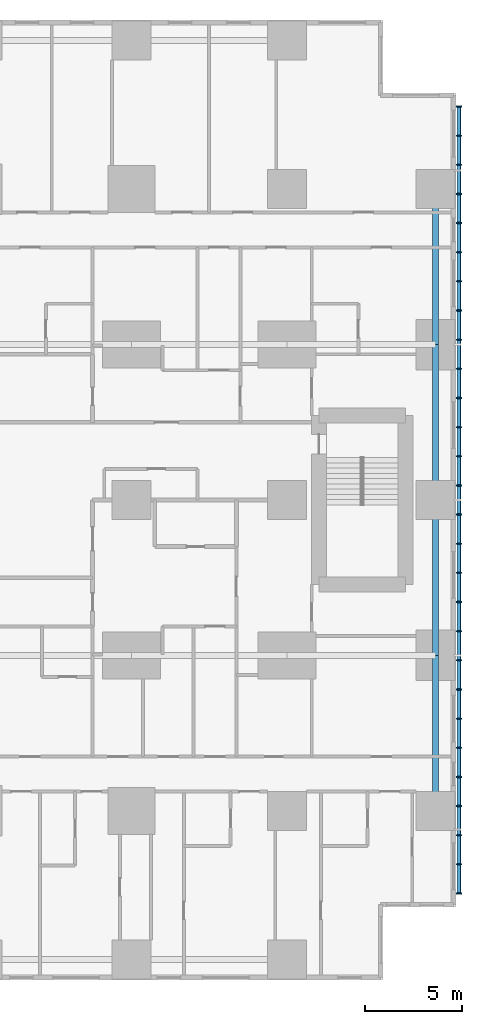
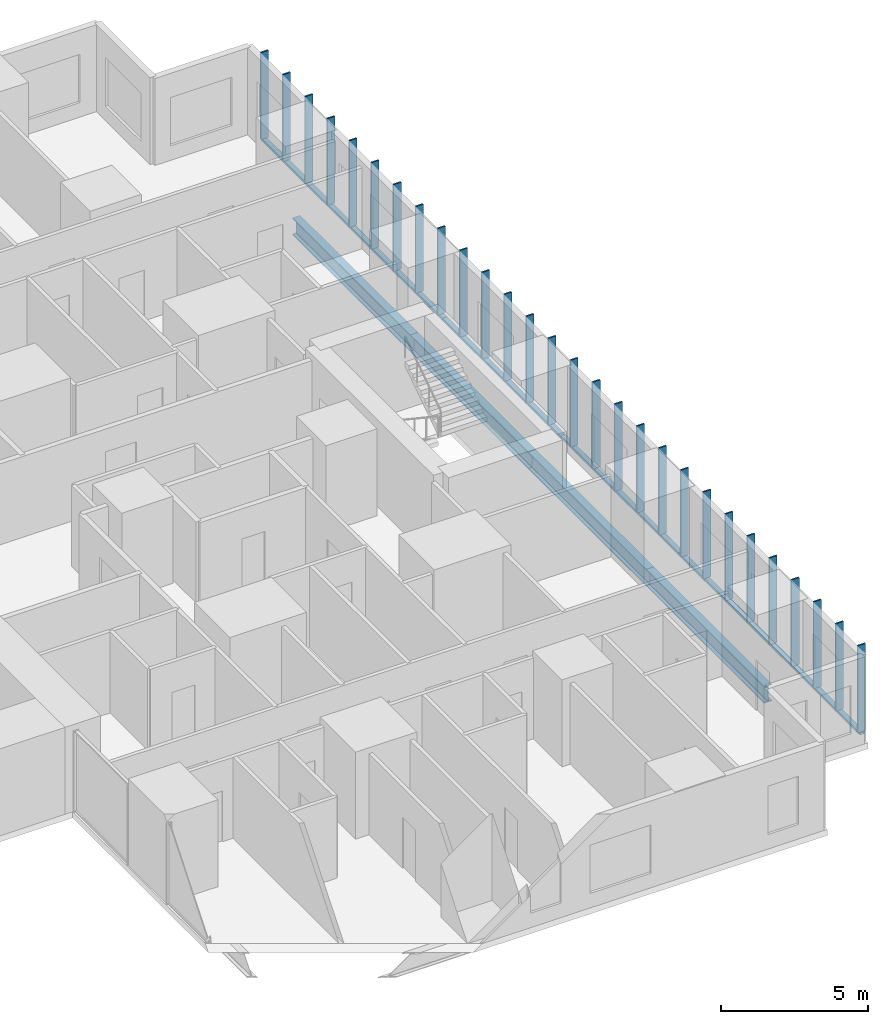
# One storey, part 6 of 20: 32 members, 4 beams.
"""IFC4 building model written with IfcOpenShell, lengths in metres."""

import ifcopenshell
import ifcopenshell.guid

model = None  # the IFC model being written
_history = None  # IfcOwnerHistory: only IFC2X3 demands one
_inside = {}  # id of a spatial element -> (the spatial element, [elements in it])
_under = {}  # id of a project, library or spatial element -> (it, [spatial elements below it])
_declared = {}  # id of a project -> (the project, [libraries it declares])
_typed = {}  # id of a type object -> (the type object, [elements of that type])
_made_of = {}  # id of a material, layer set ... -> (it, [elements and type objects made of it])


def new_model(schema):
    """Start an empty IFC model of exactly this schema.

    Asked for "IFC4X3", IfcOpenShell would pick the latest addendum, in which some entities
    have other attributes; the version numbers below select the first issue.
    IFC2X3 requires an IfcOwnerHistory on every rooted entity: one is made here for all.
    """
    global model, _history
    if schema == "IFC4X3":
        model = ifcopenshell.file(schema_version=(4, 3, 0, 0))
    else:
        model = ifcopenshell.file(schema=schema)
    _inside.clear()
    _under.clear()
    _declared.clear()
    _typed.clear()
    _made_of.clear()
    _history = None
    if model.schema == "IFC2X3":
        org = make("IfcOrganization", Name="unknown")
        user = make(
            "IfcPersonAndOrganization",
            ThePerson=make("IfcPerson", FamilyName="unknown"),
            TheOrganization=org,
        )
        app = make(
            "IfcApplication",
            ApplicationDeveloper=org,
            Version="unknown",
            ApplicationFullName="unknown",
            ApplicationIdentifier="unknown",
        )
        _history = make(
            "IfcOwnerHistory",
            OwningUser=user,
            OwningApplication=app,
            ChangeAction="ADDED",
            CreationDate=0,
        )
    return model


def make(cls, **values):
    """One entity of the class cls with the attributes given. An attribute that is None is left unset."""
    return model.create_entity(
        cls, **{name: value for name, value in values.items() if value is not None}
    )


def rooted(cls, **values):
    """An entity with a GlobalId (a new one), such as an element, a storey or a relation."""
    return make(cls, GlobalId=ifcopenshell.guid.new(), OwnerHistory=_history, **values)


def si_unit(unit_type, name, prefix=None):
    """IfcSIUnit, for example si_unit("LENGTHUNIT", "METRE", prefix="MILLI")."""
    return make("IfcSIUnit", UnitType=unit_type, Prefix=prefix, Name=name)


def assignment(units):
    """IfcUnitAssignment: the units of a project."""
    return None if units is None else make("IfcUnitAssignment", Units=units)


def point(xyz):
    """IfcCartesianPoint."""
    return None if xyz is None else make("IfcCartesianPoint", Coordinates=xyz)


def direction(xyz):
    """IfcDirection."""
    return None if xyz is None else make("IfcDirection", DirectionRatios=xyz)


def frame(location, z_axis=None, x_axis=None):
    """IfcAxis2Placement3D, a coordinate frame: its origin and axes. An axis left out is left unset."""
    return make(
        "IfcAxis2Placement3D",
        Location=point(location),
        Axis=direction(z_axis),
        RefDirection=direction(x_axis),
    )


def frame_2d(location, x_axis=None):
    """IfcAxis2Placement2D, a coordinate frame in the plane: its origin and x axis."""
    return make(
        "IfcAxis2Placement2D", Location=point(location), RefDirection=direction(x_axis)
    )


def origin():
    """The frame at (0, 0, 0) with its axes left unset."""
    return frame((0.0, 0.0, 0.0))


def origin_2d():
    """The frame at (0, 0) in the plane with its x axis left unset."""
    return frame_2d((0.0, 0.0))


def place(relative_to, where):
    """IfcLocalPlacement: puts the frame where relative to a parent placement (None: the world)."""
    return make(
        "IfcLocalPlacement", PlacementRelTo=relative_to, RelativePlacement=where
    )


def context(
    kind, dimensions, precision=None, world=None, true_north=None, identifier=None
):
    """IfcGeometricRepresentationContext, for example the 3D "Model" context."""
    return make(
        "IfcGeometricRepresentationContext",
        ContextIdentifier=identifier,
        ContextType=kind,
        CoordinateSpaceDimension=dimensions,
        Precision=precision,
        WorldCoordinateSystem=world,
        TrueNorth=true_north,
    )


def subcontext(parent, identifier, kind, view, scale=None):
    """IfcGeometricRepresentationSubContext, for example "Body" below "Model"."""
    return make(
        "IfcGeometricRepresentationSubContext",
        ContextIdentifier=identifier,
        ContextType=kind,
        ParentContext=parent,
        TargetScale=scale,
        TargetView=view,
    )


def project(units=None, contexts=None):
    """IfcProject with its units and contexts."""
    return rooted(
        "IfcProject",
        Name="project",
        RepresentationContexts=contexts,
        UnitsInContext=assignment(units),
    )


def spatial(cls, under=None, at=None, **own):
    """A site, building, storey or space (cls), placed at a placement, below another one or the project."""
    s = rooted(cls, ObjectPlacement=at, **own)
    if under is not None:
        _under.setdefault(under.id(), (under, []))[1].append(s)
    return s


def profile(cls, at=None, kind="AREA", **sizes):
    """A parametric profile (cls). Its sizes go by their IFC names, for example OverallWidth=200.0."""
    return make(cls, ProfileType=kind, Position=at, **sizes)


def rectangle(**sizes):
    """IfcRectangleProfileDef."""
    return profile("IfcRectangleProfileDef", **sizes)


def hollow_rectangle(**sizes):
    """IfcRectangleHollowProfileDef."""
    return profile("IfcRectangleHollowProfileDef", **sizes)


def i_section(**sizes):
    """IfcIShapeProfileDef."""
    return profile("IfcIShapeProfileDef", **sizes)


def extrude(swept, where, along, depth):
    """IfcExtrudedAreaSolid: the profile swept, set in the frame where, extruded along a direction by depth."""
    return make(
        "IfcExtrudedAreaSolid",
        SweptArea=swept,
        Position=where,
        ExtrudedDirection=direction(along),
        Depth=depth,
    )


def shape(context_of_items, identifier, shape_type, items):
    """IfcShapeRepresentation: the items that make up one representation, for example the "Body"."""
    return make(
        "IfcShapeRepresentation",
        ContextOfItems=context_of_items,
        RepresentationIdentifier=identifier,
        RepresentationType=shape_type,
        Items=items,
    )


def material(Name=None, Category=None):
    """IfcMaterial."""
    return make("IfcMaterial", Name=Name, Category=Category)


def material_profile(
    of_material, cross_section, Name=None, Category=None, Priority=None
):
    """IfcMaterialProfile: a cross section and its material."""
    return make(
        "IfcMaterialProfile",
        Name=Name,
        Material=of_material,
        Profile=cross_section,
        Priority=Priority,
        Category=Category,
    )


def profile_set(profiles, Name=None, composite=None):
    """IfcMaterialProfileSet."""
    return make(
        "IfcMaterialProfileSet",
        Name=Name,
        MaterialProfiles=profiles,
        CompositeProfile=composite,
    )


def made_of(thing, what):
    """Note that an element or type object is made of a material, layer set ...; save() writes the relation."""
    if what is not None:
        _made_of.setdefault(what.id(), (what, []))[1].append(thing)
    return thing


def type_object(cls, material=None, **own):
    """A type object (cls), such as IfcWallType, which elements share."""
    return made_of(rooted(cls, **own), material)


def element(
    cls,
    number,
    at=None,
    inside=None,
    cuts=None,
    type_object=None,
    material=None,
    context=None,
    identifier="Body",
    shape_type=None,
    held_by="IfcProductDefinitionShape",
    body=None,
    shapes=None,
    **own,
):
    """One element of the class cls, such as IfcWall. Its Tag is "e" and its number.

    at: its placement. inside: the storey or other place that contains it. cuts: it is an
    opening in that element (IfcRelVoidsElement). A single representation is given by context,
    identifier, shape_type and body (its items); several are given by shapes. held_by: the class
    of the entity that holds the representations. save() writes the other relations.
    """
    e = rooted(cls, Tag="e%d" % number, ObjectPlacement=at, **own)
    if body is not None:
        shapes = [shape(context, identifier, shape_type, body)]
    if shapes is not None:
        e.Representation = make(held_by, Representations=shapes)
    if inside is not None:
        _inside.setdefault(inside.id(), (inside, []))[1].append(e)
    if cuts is not None:
        rooted(
            "IfcRelVoidsElement", RelatingBuildingElement=cuts, RelatedOpeningElement=e
        )
    if type_object is not None:
        _typed.setdefault(type_object.id(), (type_object, []))[1].append(e)
    return made_of(e, material)


def aggregate(whole, parts):
    """IfcRelAggregates: a whole, such as a stair, and the parts it consists of."""
    return rooted("IfcRelAggregates", RelatingObject=whole, RelatedObjects=parts)


def save(model, path):
    """Write the relations noted so far, then the file.

    IfcRelAggregates (storeys below a building ...), IfcRelContainedInSpatialStructure (elements
    in a storey), IfcRelDefinesByType, IfcRelAssociatesMaterial and IfcRelDeclares: one each for
    every whole, place, type object, material and project.
    """
    for whole, parts in _under.values():
        aggregate(whole, parts)
    for where, things in _inside.values():
        rooted(
            "IfcRelContainedInSpatialStructure",
            RelatedElements=things,
            RelatingStructure=where,
        )
    for kind, things in _typed.values():
        rooted("IfcRelDefinesByType", RelatedObjects=things, RelatingType=kind)
    for what, things in _made_of.values():
        rooted("IfcRelAssociatesMaterial", RelatedObjects=things, RelatingMaterial=what)
    for by, libraries in _declared.values():
        rooted("IfcRelDeclares", RelatingContext=by, RelatedDefinitions=libraries)
    model.write(path)


model = new_model("IFC4")

# Units and contexts
model_context = context("Model", 3, precision=1e-05, world=origin(), true_north=direction((0.0, 1.0)))
body_context = subcontext(model_context, "Body", "Model", "MODEL_VIEW")
ifc_project = project(units=[si_unit("LENGTHUNIT", "METRE"), si_unit("AREAUNIT", "SQUARE_METRE"), si_unit("VOLUMEUNIT", "CUBIC_METRE"), si_unit("PLANEANGLEUNIT", "RADIAN"), si_unit("MASSUNIT", "GRAM", prefix="KILO")], contexts=[model_context])

# Site, building, storey
site_placement = place(None, origin())
site = spatial("IfcSite", under=ifc_project, at=site_placement, CompositionType="ELEMENT")
building_placement = place(site_placement, origin())
building = spatial("IfcBuilding", under=site, at=building_placement, Name="Cleftline Residences", CompositionType="ELEMENT")
storey_placement = place(building_placement, frame((0.0, 0.0, 47.60009765625)))
storey = spatial("IfcBuildingStorey", under=building, at=storey_placement, Name="L11", CompositionType="ELEMENT", Elevation=47.60009765625)

# Members
ifc_material_1 = material(Name="Steel S355, hot-dip galvanised", Category="steel")
ifc_material_profile_1 = material_profile(ifc_material_1, hollow_rectangle(XDim=0.10009765625, YDim=0.199951171875, WallThickness=0.008056640625, InnerFilletRadius=0.008056640625, OuterFilletRadius=0.011962890625, at=origin_2d()))
ifc_profile_set_1 = profile_set([ifc_material_profile_1], Name="Steel S355, hot-dip galvanised")
member_type_1 = type_object("IfcMemberType", Name="BAGUETTE CARRIER RHS 200X100X8", PredefinedType="USERDEFINED", material=ifc_profile_set_1)
member_1_placement = place(storey_placement, frame((66.85009765625, 3.699951171875, -0.050048828125), z_axis=(0.0, 1.0, 0.0), x_axis=(0.0, 0.0, 1.0)))
element("IfcMember", 1, at=member_1_placement, inside=storey, type_object=member_type_1, Name="Baguette carrier", ObjectType="BAGUETTE CARRIER", PredefinedType="USERDEFINED", context=body_context, shape_type="SweptSolid", body=[
    extrude(hollow_rectangle(XDim=0.10009765625, YDim=0.199951171875, WallThickness=0.008056640625, InnerFilletRadius=0.008056640625, OuterFilletRadius=0.011962890625, at=origin_2d()), origin(), (0.0, 0.0, 1.0), 12.300048828125),
])
for number, where, z_axis, x_axis, name in (
    (2, (66.85009765625, 16.0, -0.050048828125), (0.0, 1.0, 0.0), (0.0, 0.0, 1.0), "Baguette carrier"),
    (3, (66.85009765625, 24.0, -0.050048828125), (0.0, 1.0, 0.0), (0.0, 0.0, 1.0), "Baguette carrier"),
):
    element("IfcMember", number, at=place(storey_placement, frame(where, z_axis=z_axis, x_axis=x_axis)), inside=storey, type_object=member_type_1, Name=name, ObjectType="BAGUETTE CARRIER", PredefinedType="USERDEFINED", context=body_context, shape_type="SweptSolid", body=[
        extrude(hollow_rectangle(XDim=0.10009765625, YDim=0.199951171875, WallThickness=0.008056640625, InnerFilletRadius=0.008056640625, OuterFilletRadius=0.011962890625, at=origin_2d()), origin(), (0.0, 0.0, 1.0), 8.0),
    ])
member_2_placement = place(storey_placement, frame((66.85009765625, 32.0, -0.050048828125), z_axis=(0.0, 1.0, 0.0), x_axis=(0.0, 0.0, 1.0)))
element("IfcMember", 4, at=member_2_placement, inside=storey, type_object=member_type_1, Name="Baguette carrier", ObjectType="BAGUETTE CARRIER", PredefinedType="USERDEFINED", context=body_context, shape_type="SweptSolid", body=[
    extrude(hollow_rectangle(XDim=0.10009765625, YDim=0.199951171875, WallThickness=0.008056640625, InnerFilletRadius=0.008056640625, OuterFilletRadius=0.011962890625, at=origin_2d()), origin(), (0.0, 0.0, 1.0), 12.300048828125),
])

# Beams
ifc_material_2 = material(Name="Steel S355", Category="steel")
ifc_material_profile_2 = material_profile(ifc_material_2, i_section(OverallWidth=0.300048828125, OverallDepth=0.699951171875, WebThickness=0.01708984375, FlangeThickness=0.031982421875, FilletRadius=0.027099609375, at=origin_2d()))
ifc_profile_set_2 = profile_set([ifc_material_profile_2], Name="Steel S355")
beam_type = type_object("IfcBeamType", Name="BEAM HEB 700", PredefinedType="BEAM", material=ifc_profile_set_2)
for number, where, z_axis, x_axis, name in (
    (5, (65.64990234375, 8.0, -0.60009765625), (0.0, 1.0, 0.0), (-1.0, 0.0, 0.0), "Edge beam"),
    (6, (65.64990234375, 16.0, -0.60009765625), (0.0, 1.0, 0.0), (-1.0, 0.0, 0.0), "Edge beam"),
    (7, (65.64990234375, 24.0, -0.60009765625), (0.0, 1.0, 0.0), (-1.0, 0.0, 0.0), "Edge beam"),
    (8, (65.64990234375, 32.0, -0.60009765625), (0.0, 1.0, 0.0), (-1.0, 0.0, 0.0), "Edge beam"),
):
    element("IfcBeam", number, at=place(storey_placement, frame(where, z_axis=z_axis, x_axis=x_axis)), inside=storey, type_object=beam_type, Name=name, PredefinedType="BEAM", context=body_context, shape_type="SweptSolid", body=[
        extrude(i_section(OverallWidth=0.300048828125, OverallDepth=0.699951171875, WebThickness=0.01708984375, FlangeThickness=0.031982421875, FilletRadius=0.027099609375, at=origin_2d()), origin(), (0.0, 0.0, 1.0), 8.0),
    ])

# Members
ifc_material_3 = material(Name="Extruded terracotta", Category="masonry")
ifc_material_profile_3 = material_profile(ifc_material_3, rectangle(XDim=0.06005859375, YDim=0.300048828125, at=origin_2d()))
ifc_profile_set_3 = profile_set([ifc_material_profile_3], Name="Extruded terracotta")
member_type_2 = type_object("IfcMemberType", Name="TERRACOTTA BAGUETTE 60X300", PredefinedType="USERDEFINED", material=ifc_profile_set_3)
for number, where, z_axis, x_axis, name in (
    (9, (66.85009765625, 3.75, 0.0), (0.0, 0.0, 1.0), (0.0, 1.0, 0.0), "Terracotta baguette"),
    (10, (66.85009765625, 5.25, 0.0), (0.0, 0.0, 1.0), (0.0, 1.0, 0.0), "Terracotta baguette"),
    (11, (66.85009765625, 6.75, 0.0), (0.0, 0.0, 1.0), (0.0, 1.0, 0.0), "Terracotta baguette"),
    (12, (66.85009765625, 8.25, 0.0), (0.0, 0.0, 1.0), (0.0, 1.0, 0.0), "Terracotta baguette"),
    (13, (66.85009765625, 9.75, 0.0), (0.0, 0.0, 1.0), (0.0, 1.0, 0.0), "Terracotta baguette"),
    (14, (66.85009765625, 11.25, 0.0), (0.0, 0.0, 1.0), (0.0, 1.0, 0.0), "Terracotta baguette"),
    (15, (66.85009765625, 12.75, 0.0), (0.0, 0.0, 1.0), (0.0, 1.0, 0.0), "Terracotta baguette"),
    (16, (66.85009765625, 14.25, 0.0), (0.0, 0.0, 1.0), (0.0, 1.0, 0.0), "Terracotta baguette"),
    (17, (66.85009765625, 15.75, 0.0), (0.0, 0.0, 1.0), (0.0, 1.0, 0.0), "Terracotta baguette"),
    (18, (66.85009765625, 17.25, 0.0), (0.0, 0.0, 1.0), (0.0, 1.0, 0.0), "Terracotta baguette"),
    (19, (66.85009765625, 18.75, 0.0), (0.0, 0.0, 1.0), (0.0, 1.0, 0.0), "Terracotta baguette"),
    (20, (66.85009765625, 20.25, 0.0), (0.0, 0.0, 1.0), (0.0, 1.0, 0.0), "Terracotta baguette"),
    (21, (66.85009765625, 21.75, 0.0), (0.0, 0.0, 1.0), (0.0, 1.0, 0.0), "Terracotta baguette"),
    (22, (66.85009765625, 23.25, 0.0), (0.0, 0.0, 1.0), (0.0, 1.0, 0.0), "Terracotta baguette"),
    (23, (66.85009765625, 24.75, 0.0), (0.0, 0.0, 1.0), (0.0, 1.0, 0.0), "Terracotta baguette"),
    (24, (66.85009765625, 26.25, 0.0), (0.0, 0.0, 1.0), (0.0, 1.0, 0.0), "Terracotta baguette"),
    (25, (66.85009765625, 27.75, 0.0), (0.0, 0.0, 1.0), (0.0, 1.0, 0.0), "Terracotta baguette"),
    (26, (66.85009765625, 29.25, 0.0), (0.0, 0.0, 1.0), (0.0, 1.0, 0.0), "Terracotta baguette"),
    (27, (66.85009765625, 30.75, 0.0), (0.0, 0.0, 1.0), (0.0, 1.0, 0.0), "Terracotta baguette"),
    (28, (66.85009765625, 32.25, 0.0), (0.0, 0.0, 1.0), (0.0, 1.0, 0.0), "Terracotta baguette"),
    (29, (66.85009765625, 33.75, 0.0), (0.0, 0.0, 1.0), (0.0, 1.0, 0.0), "Terracotta baguette"),
    (30, (66.85009765625, 35.25, 0.0), (0.0, 0.0, 1.0), (0.0, 1.0, 0.0), "Terracotta baguette"),
    (31, (66.85009765625, 36.75, 0.0), (0.0, 0.0, 1.0), (0.0, 1.0, 0.0), "Terracotta baguette"),
    (32, (66.85009765625, 38.25, 0.0), (0.0, 0.0, 1.0), (0.0, 1.0, 0.0), "Terracotta baguette"),
    (33, (66.85009765625, 39.75, 0.0), (0.0, 0.0, 1.0), (0.0, 1.0, 0.0), "Terracotta baguette"),
    (34, (66.85009765625, 41.25, 0.0), (0.0, 0.0, 1.0), (0.0, 1.0, 0.0), "Terracotta baguette"),
    (35, (66.85009765625, 42.75, 0.0), (0.0, 0.0, 1.0), (0.0, 1.0, 0.0), "Terracotta baguette"),
    (36, (66.85009765625, 44.25, 0.0), (0.0, 0.0, 1.0), (0.0, 1.0, 0.0), "Terracotta baguette"),
):
    element("IfcMember", number, at=place(storey_placement, frame(where, z_axis=z_axis, x_axis=x_axis)), inside=storey, type_object=member_type_2, Name=name, ObjectType="BAGUETTE", PredefinedType="USERDEFINED", context=body_context, shape_type="SweptSolid", body=[
        extrude(rectangle(XDim=0.06005859375, YDim=0.300048828125, at=origin_2d()), origin(), (0.0, 0.0, 1.0), 3.599853515625),
    ])

save(model, "model.ifc")
